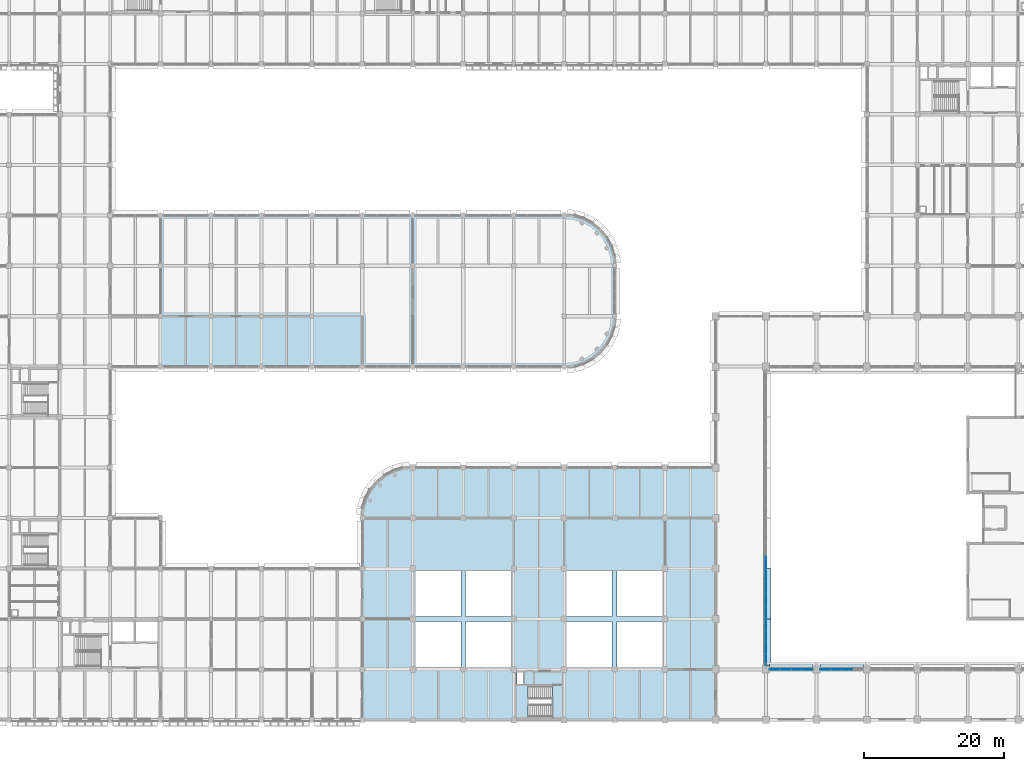
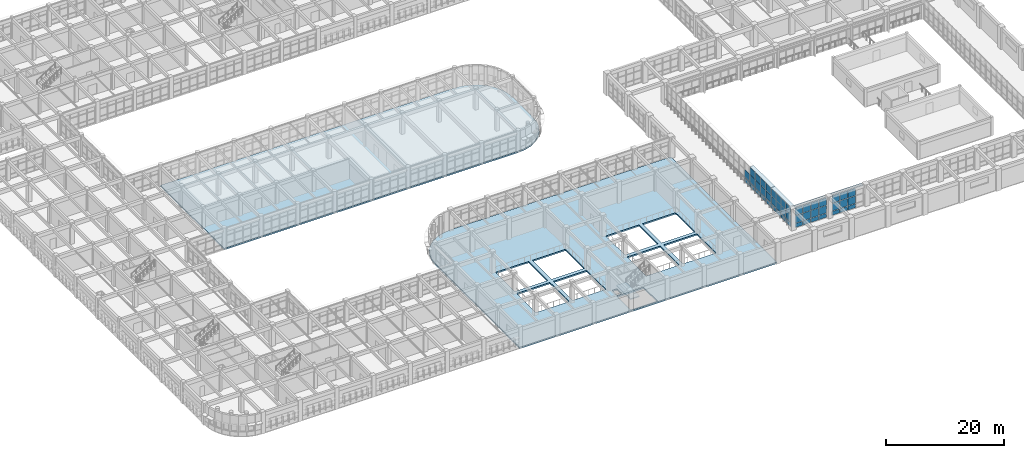
# One storey, part 123 of 171: 51 plates, 3 slabs, 6 elements without a shape of their own.
"""IFC4 building model written with IfcOpenShell, lengths in metres."""

from ifc_helpers import new_model, si_unit, direction, frame, origin, origin_2d, place, context, subcontext, project, spatial, polyline, rectangle, outline, extrude, material, layer, layer_set, type_object, element, aggregate, save


model = new_model("IFC4")

# Units and contexts
model_context = context("Model", 3, precision=1e-05, world=origin(), true_north=direction((0.0, 1.0)))
body_context = subcontext(model_context, "Body", "Model", "MODEL_VIEW")
ifc_project = project(units=[si_unit("LENGTHUNIT", "METRE"), si_unit("AREAUNIT", "SQUARE_METRE"), si_unit("VOLUMEUNIT", "CUBIC_METRE"), si_unit("PLANEANGLEUNIT", "RADIAN"), si_unit("MASSUNIT", "GRAM", prefix="KILO")], contexts=[model_context])

# Site, building, storey
site_placement = place(None, origin())
site = spatial("IfcSite", under=ifc_project, at=site_placement, CompositionType="ELEMENT")
building_placement = place(site_placement, origin())
building = spatial("IfcBuilding", under=site, at=building_placement, Name="Thalmaran Polytechnic", CompositionType="ELEMENT")
storey_placement = place(building_placement, frame((0.0, 0.0, 5.39990234375)))
storey = spatial("IfcBuildingStorey", under=building, at=storey_placement, Name="L01", CompositionType="ELEMENT", Elevation=5.39990234375)

# Plates
ifc_material_1 = material(Name="Anodised aluminium sun-hood eyebrow", Category="aluminium")
ifc_layer_1 = layer(ifc_material_1, 0.0849609375, Name="Anodised aluminium sun-hood eyebrow")
ifc_layer_set_1 = layer_set([ifc_layer_1], Name="Anodised aluminium sun-hood eyebrow")
plate_type_1 = type_object("IfcPlateType", Name="PT-EB01", PredefinedType="SHEET", material=ifc_layer_set_1)
plate_1_placement = place(storey_placement, frame((115.56005859375, 18.0, 4.107666015625), z_axis=(0.0, 0.0, 1.0), x_axis=(0.0, -1.0, 0.0)))
element("IfcPlate", 1, at=plate_1_placement, inside=storey, type_object=plate_type_1, Name="Streamline Sun-Hood Eyebrow L01-CW109", PredefinedType="SHEET", context=body_context, shape_type="SweptSolid", body=[
    extrude(rectangle(XDim=7.159912109375, YDim=0.760009765625, at=origin_2d()), origin(), (0.0, 0.0, 1.0), 0.0849609375),
])
plate_2_placement = place(storey_placement, frame((115.56005859375, 11.0625, 4.107666015625), z_axis=(0.0, 0.0, 1.0), x_axis=(0.0, -1.0, 0.0)))
element("IfcPlate", 2, at=plate_2_placement, inside=storey, type_object=plate_type_1, Name="Streamline Sun-Hood Eyebrow L01-CW110", PredefinedType="SHEET", context=body_context, shape_type="SweptSolid", body=[
    extrude(rectangle(XDim=6.635009765625, YDim=0.760009765625, at=origin_2d()), origin(), (0.0, 0.0, 1.0), 0.0849609375),
])
for number, where, z_axis, x_axis, name in (
    (3, (118.800048828125, 7.56005859375, 4.107666015625), (0.0, 0.0, 1.0), (1.0, 0.0, 0.0), "Streamline Sun-Hood Eyebrow L01-CW111"),
    (4, (126.0, 7.56005859375, 4.107666015625), (0.0, 0.0, 1.0), (1.0, 0.0, 0.0), "Streamline Sun-Hood Eyebrow L01-CW112"),
):
    element("IfcPlate", number, at=place(storey_placement, frame(where, z_axis=z_axis, x_axis=x_axis)), inside=storey, type_object=plate_type_1, Name=name, PredefinedType="SHEET", context=body_context, shape_type="SweptSolid", body=[
        extrude(rectangle(XDim=6.2099609375, YDim=0.760009765625, at=origin_2d()), origin(), (0.0, 0.0, 1.0), 0.0849609375),
    ])

# Curtain wall, plates
ifc_material_2 = material(Name="Aluminium 6063-T6", Category="aluminium")
curtain_wall_type = type_object("IfcCurtainWallType", Name="CW-UC02", PredefinedType="USERDEFINED", material=ifc_material_2)
curtain_wall_1_placement = place(storey_placement, origin())
curtain_wall_1 = element("IfcCurtainWall", 5, at=curtain_wall_1_placement, inside=storey, type_object=curtain_wall_type, Name="Curtain Wall CW-L01-110", ObjectType="UNITISED CURTAIN WALL", PredefinedType="USERDEFINED")
ifc_material_3 = material(Name="Solar-control double low-E glass", Category="glass")
ifc_layer_2 = layer(ifc_material_3, 0.035888671875, Name="Solar-control double low-E glass")
ifc_layer_set_2 = layer_set([ifc_layer_2], Name="Solar-control double low-E glass")
plate_type_2 = type_object("IfcPlateType", Name="PT-GL01", PredefinedType="CURTAIN_PANEL", material=ifc_layer_set_2)
plate_3_placement = place(storey_placement, frame((115.199951171875, 13.565673828125, 1.000244140625), z_axis=(0.0, 0.0, 1.0), x_axis=(0.0, -1.0, 0.0)))
plate_3 = element("IfcPlate", 6, at=plate_3_placement, type_object=plate_type_2, Name="CW-L01-110 Vision Panel 1-2", PredefinedType="CURTAIN_PANEL", context=body_context, shape_type="SweptSolid", body=[
    extrude(rectangle(XDim=1.56884765625, YDim=0.035888671875, at=origin_2d()), origin(), (0.0, 0.0, 1.0), 1.544921875),
])
plate_4_placement = place(storey_placement, frame((115.199951171875, 13.565673828125, 2.625), z_axis=(0.0, 0.0, 1.0), x_axis=(0.0, -1.0, 0.0)))
plate_4 = element("IfcPlate", 7, at=plate_4_placement, type_object=plate_type_2, Name="CW-L01-110 Vision Panel 1-3", PredefinedType="CURTAIN_PANEL", context=body_context, shape_type="SweptSolid", body=[
    extrude(rectangle(XDim=1.56884765625, YDim=0.035888671875, at=origin_2d()), origin(), (0.0, 0.0, 1.0), 1.485107421875),
])
plate_5_placement = place(storey_placement, frame((115.199951171875, 11.89697265625, 1.000244140625), z_axis=(0.0, 0.0, 1.0), x_axis=(0.0, -1.0, 0.0)))
plate_5 = element("IfcPlate", 8, at=plate_5_placement, type_object=plate_type_2, Name="CW-L01-110 Vision Panel 2-2", PredefinedType="CURTAIN_PANEL", context=body_context, shape_type="SweptSolid", body=[
    extrude(rectangle(XDim=1.56884765625, YDim=0.035888671875, at=origin_2d()), origin(), (0.0, 0.0, 1.0), 1.544921875),
])
plate_6_placement = place(storey_placement, frame((115.199951171875, 11.89697265625, 2.625), z_axis=(0.0, 0.0, 1.0), x_axis=(0.0, -1.0, 0.0)))
plate_6 = element("IfcPlate", 9, at=plate_6_placement, type_object=plate_type_2, Name="CW-L01-110 Vision Panel 2-3", PredefinedType="CURTAIN_PANEL", context=body_context, shape_type="SweptSolid", body=[
    extrude(rectangle(XDim=1.56884765625, YDim=0.035888671875, at=origin_2d()), origin(), (0.0, 0.0, 1.0), 1.485107421875),
])
plate_7_placement = place(storey_placement, frame((115.199951171875, 10.22802734375, 1.000244140625), z_axis=(0.0, 0.0, 1.0), x_axis=(0.0, -1.0, 0.0)))
plate_7 = element("IfcPlate", 10, at=plate_7_placement, type_object=plate_type_2, Name="CW-L01-110 Vision Panel 3-2", PredefinedType="CURTAIN_PANEL", context=body_context, shape_type="SweptSolid", body=[
    extrude(rectangle(XDim=1.56884765625, YDim=0.035888671875, at=origin_2d()), origin(), (0.0, 0.0, 1.0), 1.544921875),
])
plate_8_placement = place(storey_placement, frame((115.199951171875, 10.22802734375, 2.625), z_axis=(0.0, 0.0, 1.0), x_axis=(0.0, -1.0, 0.0)))
plate_8 = element("IfcPlate", 11, at=plate_8_placement, type_object=plate_type_2, Name="CW-L01-110 Vision Panel 3-3", PredefinedType="CURTAIN_PANEL", context=body_context, shape_type="SweptSolid", body=[
    extrude(rectangle(XDim=1.56884765625, YDim=0.035888671875, at=origin_2d()), origin(), (0.0, 0.0, 1.0), 1.485107421875),
])
plate_9_placement = place(storey_placement, frame((115.199951171875, 8.559326171875, 1.000244140625), z_axis=(0.0, 0.0, 1.0), x_axis=(0.0, -1.0, 0.0)))
plate_9 = element("IfcPlate", 12, at=plate_9_placement, type_object=plate_type_2, Name="CW-L01-110 Vision Panel 4-2", PredefinedType="CURTAIN_PANEL", context=body_context, shape_type="SweptSolid", body=[
    extrude(rectangle(XDim=1.56884765625, YDim=0.035888671875, at=origin_2d()), origin(), (0.0, 0.0, 1.0), 1.544921875),
])
plate_10_placement = place(storey_placement, frame((115.199951171875, 8.559326171875, 2.625), z_axis=(0.0, 0.0, 1.0), x_axis=(0.0, -1.0, 0.0)))
plate_10 = element("IfcPlate", 13, at=plate_10_placement, type_object=plate_type_2, Name="CW-L01-110 Vision Panel 4-3", PredefinedType="CURTAIN_PANEL", context=body_context, shape_type="SweptSolid", body=[
    extrude(rectangle(XDim=1.56884765625, YDim=0.035888671875, at=origin_2d()), origin(), (0.0, 0.0, 1.0), 1.485107421875),
])

curtain_wall_2_placement = place(storey_placement, origin())
curtain_wall_2 = element("IfcCurtainWall", 14, at=curtain_wall_2_placement, inside=storey, type_object=curtain_wall_type, Name="Curtain Wall CW-L01-111", ObjectType="UNITISED CURTAIN WALL", PredefinedType="USERDEFINED")
ifc_layer_3 = layer(ifc_material_3, 0.035888671875, Name="Solar-control double low-E glass")
ifc_layer_set_3 = layer_set([ifc_layer_3], Name="Solar-control double low-E glass")
plate_type_3 = type_object("IfcPlateType", Name="PT-GL02", PredefinedType="CURTAIN_PANEL", material=ifc_layer_set_3)
plate_11_placement = place(storey_placement, frame((116.456298828125, 7.199951171875, 1.000244140625), z_axis=(0.0, 0.0, 1.0), x_axis=(1.0, 0.0, 0.0)))
plate_11 = element("IfcPlate", 15, at=plate_11_placement, type_object=plate_type_3, Name="CW-L01-111 Vision Panel 1-2", PredefinedType="CURTAIN_PANEL", context=body_context, shape_type="SweptSolid", body=[
    extrude(rectangle(XDim=1.46240234375, YDim=0.035888671875, at=origin_2d()), origin(), (0.0, 0.0, 1.0), 1.544921875),
])
plate_12_placement = place(storey_placement, frame((116.456298828125, 7.199951171875, 2.625), z_axis=(0.0, 0.0, 1.0), x_axis=(1.0, 0.0, 0.0)))
plate_12 = element("IfcPlate", 16, at=plate_12_placement, type_object=plate_type_3, Name="CW-L01-111 Vision Panel 1-3", PredefinedType="CURTAIN_PANEL", context=body_context, shape_type="SweptSolid", body=[
    extrude(rectangle(XDim=1.46240234375, YDim=0.035888671875, at=origin_2d()), origin(), (0.0, 0.0, 1.0), 1.485107421875),
])
plate_13_placement = place(storey_placement, frame((118.018798828125, 7.199951171875, 1.000244140625), z_axis=(0.0, 0.0, 1.0), x_axis=(1.0, 0.0, 0.0)))
plate_13 = element("IfcPlate", 17, at=plate_13_placement, type_object=plate_type_3, Name="CW-L01-111 Vision Panel 2-2", PredefinedType="CURTAIN_PANEL", context=body_context, shape_type="SweptSolid", body=[
    extrude(rectangle(XDim=1.46240234375, YDim=0.035888671875, at=origin_2d()), origin(), (0.0, 0.0, 1.0), 1.544921875),
])
plate_14_placement = place(storey_placement, frame((118.018798828125, 7.199951171875, 2.625), z_axis=(0.0, 0.0, 1.0), x_axis=(1.0, 0.0, 0.0)))
plate_14 = element("IfcPlate", 18, at=plate_14_placement, type_object=plate_type_3, Name="CW-L01-111 Vision Panel 2-3", PredefinedType="CURTAIN_PANEL", context=body_context, shape_type="SweptSolid", body=[
    extrude(rectangle(XDim=1.46240234375, YDim=0.035888671875, at=origin_2d()), origin(), (0.0, 0.0, 1.0), 1.485107421875),
])
plate_15_placement = place(storey_placement, frame((119.581298828125, 7.199951171875, 1.000244140625), z_axis=(0.0, 0.0, 1.0), x_axis=(1.0, 0.0, 0.0)))
plate_15 = element("IfcPlate", 19, at=plate_15_placement, type_object=plate_type_3, Name="CW-L01-111 Vision Panel 3-2", PredefinedType="CURTAIN_PANEL", context=body_context, shape_type="SweptSolid", body=[
    extrude(rectangle(XDim=1.46240234375, YDim=0.035888671875, at=origin_2d()), origin(), (0.0, 0.0, 1.0), 1.544921875),
])
plate_16_placement = place(storey_placement, frame((119.581298828125, 7.199951171875, 2.625), z_axis=(0.0, 0.0, 1.0), x_axis=(1.0, 0.0, 0.0)))
plate_16 = element("IfcPlate", 20, at=plate_16_placement, type_object=plate_type_3, Name="CW-L01-111 Vision Panel 3-3", PredefinedType="CURTAIN_PANEL", context=body_context, shape_type="SweptSolid", body=[
    extrude(rectangle(XDim=1.46240234375, YDim=0.035888671875, at=origin_2d()), origin(), (0.0, 0.0, 1.0), 1.485107421875),
])
plate_17_placement = place(storey_placement, frame((121.143798828125, 7.199951171875, 1.000244140625), z_axis=(0.0, 0.0, 1.0), x_axis=(1.0, 0.0, 0.0)))
plate_17 = element("IfcPlate", 21, at=plate_17_placement, type_object=plate_type_3, Name="CW-L01-111 Vision Panel 4-2", PredefinedType="CURTAIN_PANEL", context=body_context, shape_type="SweptSolid", body=[
    extrude(rectangle(XDim=1.46240234375, YDim=0.035888671875, at=origin_2d()), origin(), (0.0, 0.0, 1.0), 1.544921875),
])
plate_18_placement = place(storey_placement, frame((121.143798828125, 7.199951171875, 2.625), z_axis=(0.0, 0.0, 1.0), x_axis=(1.0, 0.0, 0.0)))
plate_18 = element("IfcPlate", 22, at=plate_18_placement, type_object=plate_type_3, Name="CW-L01-111 Vision Panel 4-3", PredefinedType="CURTAIN_PANEL", context=body_context, shape_type="SweptSolid", body=[
    extrude(rectangle(XDim=1.46240234375, YDim=0.035888671875, at=origin_2d()), origin(), (0.0, 0.0, 1.0), 1.485107421875),
])

curtain_wall_3_placement = place(storey_placement, origin())
curtain_wall_3 = element("IfcCurtainWall", 23, at=curtain_wall_3_placement, inside=storey, type_object=curtain_wall_type, Name="Curtain Wall CW-L01-112", ObjectType="UNITISED CURTAIN WALL", PredefinedType="USERDEFINED")
ifc_layer_4 = layer(ifc_material_3, 0.035888671875, Name="Solar-control double low-E glass")
ifc_layer_set_4 = layer_set([ifc_layer_4], Name="Solar-control double low-E glass")
plate_type_4 = type_object("IfcPlateType", Name="PT-GL03", PredefinedType="CURTAIN_PANEL", material=ifc_layer_set_4)
plate_19_placement = place(storey_placement, frame((123.65625, 7.199951171875, 1.000244140625), z_axis=(0.0, 0.0, 1.0), x_axis=(1.0, 0.0, 0.0)))
plate_19 = element("IfcPlate", 24, at=plate_19_placement, type_object=plate_type_4, Name="CW-L01-112 Vision Panel 1-2", PredefinedType="CURTAIN_PANEL", context=body_context, shape_type="SweptSolid", body=[
    extrude(rectangle(XDim=1.46240234375, YDim=0.035888671875, at=origin_2d()), origin(), (0.0, 0.0, 1.0), 1.544921875),
])
plate_20_placement = place(storey_placement, frame((123.65625, 7.199951171875, 2.625), z_axis=(0.0, 0.0, 1.0), x_axis=(1.0, 0.0, 0.0)))
plate_20 = element("IfcPlate", 25, at=plate_20_placement, type_object=plate_type_4, Name="CW-L01-112 Vision Panel 1-3", PredefinedType="CURTAIN_PANEL", context=body_context, shape_type="SweptSolid", body=[
    extrude(rectangle(XDim=1.46240234375, YDim=0.035888671875, at=origin_2d()), origin(), (0.0, 0.0, 1.0), 1.485107421875),
])
plate_21_placement = place(storey_placement, frame((125.21875, 7.199951171875, 1.000244140625), z_axis=(0.0, 0.0, 1.0), x_axis=(1.0, 0.0, 0.0)))
plate_21 = element("IfcPlate", 26, at=plate_21_placement, type_object=plate_type_4, Name="CW-L01-112 Vision Panel 2-2", PredefinedType="CURTAIN_PANEL", context=body_context, shape_type="SweptSolid", body=[
    extrude(rectangle(XDim=1.46240234375, YDim=0.035888671875, at=origin_2d()), origin(), (0.0, 0.0, 1.0), 1.544921875),
])
plate_22_placement = place(storey_placement, frame((125.21875, 7.199951171875, 2.625), z_axis=(0.0, 0.0, 1.0), x_axis=(1.0, 0.0, 0.0)))
plate_22 = element("IfcPlate", 27, at=plate_22_placement, type_object=plate_type_4, Name="CW-L01-112 Vision Panel 2-3", PredefinedType="CURTAIN_PANEL", context=body_context, shape_type="SweptSolid", body=[
    extrude(rectangle(XDim=1.46240234375, YDim=0.035888671875, at=origin_2d()), origin(), (0.0, 0.0, 1.0), 1.485107421875),
])
plate_23_placement = place(storey_placement, frame((126.78125, 7.199951171875, 1.000244140625), z_axis=(0.0, 0.0, 1.0), x_axis=(1.0, 0.0, 0.0)))
plate_23 = element("IfcPlate", 28, at=plate_23_placement, type_object=plate_type_4, Name="CW-L01-112 Vision Panel 3-2", PredefinedType="CURTAIN_PANEL", context=body_context, shape_type="SweptSolid", body=[
    extrude(rectangle(XDim=1.46240234375, YDim=0.035888671875, at=origin_2d()), origin(), (0.0, 0.0, 1.0), 1.544921875),
])
plate_24_placement = place(storey_placement, frame((126.78125, 7.199951171875, 2.625), z_axis=(0.0, 0.0, 1.0), x_axis=(1.0, 0.0, 0.0)))
plate_24 = element("IfcPlate", 29, at=plate_24_placement, type_object=plate_type_4, Name="CW-L01-112 Vision Panel 3-3", PredefinedType="CURTAIN_PANEL", context=body_context, shape_type="SweptSolid", body=[
    extrude(rectangle(XDim=1.46240234375, YDim=0.035888671875, at=origin_2d()), origin(), (0.0, 0.0, 1.0), 1.485107421875),
])

# Curtain wall, plate
curtain_wall_4_placement = place(storey_placement, origin())
curtain_wall_4 = element("IfcCurtainWall", 30, at=curtain_wall_4_placement, inside=storey, type_object=curtain_wall_type, Name="Curtain Wall CW-L01-108", ObjectType="UNITISED CURTAIN WALL", PredefinedType="USERDEFINED")
ifc_layer_5 = layer(ifc_material_3, 0.035888671875, Name="Solar-control double low-E glass")
ifc_layer_set_5 = layer_set([ifc_layer_5], Name="Solar-control double low-E glass")
plate_type_5 = type_object("IfcPlateType", Name="PT-GL04", PredefinedType="CURTAIN_PANEL", material=ifc_layer_set_5)
plate_25_placement = place(storey_placement, frame((115.199951171875, 22.5, 1.000244140625), z_axis=(0.0, 0.0, 1.0), x_axis=(0.0, -1.0, 0.0)))
plate_25 = element("IfcPlate", 31, at=plate_25_placement, type_object=plate_type_5, Name="CW-L01-108 Vision Panel 4-2", PredefinedType="CURTAIN_PANEL", context=body_context, shape_type="SweptSolid", body=[
    extrude(rectangle(XDim=1.699951171875, YDim=0.035888671875, at=origin_2d()), origin(), (0.0, 0.0, 1.0), 1.544921875),
])

# Curtain wall, plates
curtain_wall_5_placement = place(storey_placement, origin())
curtain_wall_5 = element("IfcCurtainWall", 32, at=curtain_wall_5_placement, inside=storey, type_object=curtain_wall_type, Name="Curtain Wall CW-L01-109", ObjectType="UNITISED CURTAIN WALL", PredefinedType="USERDEFINED")
ifc_layer_6 = layer(ifc_material_3, 0.035888671875, Name="Solar-control double low-E glass")
ifc_layer_set_6 = layer_set([ifc_layer_6], Name="Solar-control double low-E glass")
plate_type_6 = type_object("IfcPlateType", Name="PT-GL05", PredefinedType="CURTAIN_PANEL", material=ifc_layer_set_6)
plate_26_placement = place(storey_placement, frame((115.199951171875, 20.699951171875, 1.000244140625), z_axis=(0.0, 0.0, 1.0), x_axis=(0.0, -1.0, 0.0)))
plate_26 = element("IfcPlate", 33, at=plate_26_placement, type_object=plate_type_6, Name="CW-L01-109 Vision Panel 1-2", PredefinedType="CURTAIN_PANEL", context=body_context, shape_type="SweptSolid", body=[
    extrude(rectangle(XDim=1.699951171875, YDim=0.035888671875, at=origin_2d()), origin(), (0.0, 0.0, 1.0), 1.544921875),
])
plate_27_placement = place(storey_placement, frame((115.199951171875, 20.699951171875, 2.625), z_axis=(0.0, 0.0, 1.0), x_axis=(0.0, -1.0, 0.0)))
plate_27 = element("IfcPlate", 34, at=plate_27_placement, type_object=plate_type_6, Name="CW-L01-109 Vision Panel 1-3", PredefinedType="CURTAIN_PANEL", context=body_context, shape_type="SweptSolid", body=[
    extrude(rectangle(XDim=1.699951171875, YDim=0.035888671875, at=origin_2d()), origin(), (0.0, 0.0, 1.0), 1.485107421875),
])
plate_28_placement = place(storey_placement, frame((115.199951171875, 18.89990234375, 1.000244140625), z_axis=(0.0, 0.0, 1.0), x_axis=(0.0, -1.0, 0.0)))
plate_28 = element("IfcPlate", 35, at=plate_28_placement, type_object=plate_type_6, Name="CW-L01-109 Vision Panel 2-2", PredefinedType="CURTAIN_PANEL", context=body_context, shape_type="SweptSolid", body=[
    extrude(rectangle(XDim=1.699951171875, YDim=0.035888671875, at=origin_2d()), origin(), (0.0, 0.0, 1.0), 1.544921875),
])
plate_29_placement = place(storey_placement, frame((115.199951171875, 18.89990234375, 2.625), z_axis=(0.0, 0.0, 1.0), x_axis=(0.0, -1.0, 0.0)))
plate_29 = element("IfcPlate", 36, at=plate_29_placement, type_object=plate_type_6, Name="CW-L01-109 Vision Panel 2-3", PredefinedType="CURTAIN_PANEL", context=body_context, shape_type="SweptSolid", body=[
    extrude(rectangle(XDim=1.699951171875, YDim=0.035888671875, at=origin_2d()), origin(), (0.0, 0.0, 1.0), 1.485107421875),
])
plate_30_placement = place(storey_placement, frame((115.199951171875, 17.10009765625, 1.000244140625), z_axis=(0.0, 0.0, 1.0), x_axis=(0.0, -1.0, 0.0)))
plate_30 = element("IfcPlate", 37, at=plate_30_placement, type_object=plate_type_6, Name="CW-L01-109 Vision Panel 3-2", PredefinedType="CURTAIN_PANEL", context=body_context, shape_type="SweptSolid", body=[
    extrude(rectangle(XDim=1.699951171875, YDim=0.035888671875, at=origin_2d()), origin(), (0.0, 0.0, 1.0), 1.544921875),
])
plate_31_placement = place(storey_placement, frame((115.199951171875, 17.10009765625, 2.625), z_axis=(0.0, 0.0, 1.0), x_axis=(0.0, -1.0, 0.0)))
plate_31 = element("IfcPlate", 38, at=plate_31_placement, type_object=plate_type_6, Name="CW-L01-109 Vision Panel 3-3", PredefinedType="CURTAIN_PANEL", context=body_context, shape_type="SweptSolid", body=[
    extrude(rectangle(XDim=1.699951171875, YDim=0.035888671875, at=origin_2d()), origin(), (0.0, 0.0, 1.0), 1.485107421875),
])
plate_32_placement = place(storey_placement, frame((115.199951171875, 15.300048828125, 1.000244140625), z_axis=(0.0, 0.0, 1.0), x_axis=(0.0, -1.0, 0.0)))
plate_32 = element("IfcPlate", 39, at=plate_32_placement, type_object=plate_type_6, Name="CW-L01-109 Vision Panel 4-2", PredefinedType="CURTAIN_PANEL", context=body_context, shape_type="SweptSolid", body=[
    extrude(rectangle(XDim=1.699951171875, YDim=0.035888671875, at=origin_2d()), origin(), (0.0, 0.0, 1.0), 1.544921875),
])
plate_33_placement = place(storey_placement, frame((115.199951171875, 15.300048828125, 2.625), z_axis=(0.0, 0.0, 1.0), x_axis=(0.0, -1.0, 0.0)))
plate_33 = element("IfcPlate", 40, at=plate_33_placement, type_object=plate_type_6, Name="CW-L01-109 Vision Panel 4-3", PredefinedType="CURTAIN_PANEL", context=body_context, shape_type="SweptSolid", body=[
    extrude(rectangle(XDim=1.699951171875, YDim=0.035888671875, at=origin_2d()), origin(), (0.0, 0.0, 1.0), 1.485107421875),
])

# Plate
ifc_material_4 = material(Name="Insulated anodised aluminium spandrel", Category="aluminium")
ifc_layer_7 = layer(ifc_material_4, 0.06005859375, Name="Insulated anodised aluminium spandrel")
ifc_layer_set_7 = layer_set([ifc_layer_7], Name="Insulated anodised aluminium spandrel")
plate_type_7 = type_object("IfcPlateType", Name="PT-SP01", PredefinedType="CURTAIN_PANEL", material=ifc_layer_set_7)
plate_34_placement = place(storey_placement, frame((115.199951171875, 22.5, 0.10009765625), z_axis=(0.0, 0.0, 1.0), x_axis=(0.0, -1.0, 0.0)))
plate_34 = element("IfcPlate", 41, at=plate_34_placement, type_object=plate_type_7, Name="CW-L01-108 Spandrel Panel 4-1", PredefinedType="CURTAIN_PANEL", context=body_context, shape_type="SweptSolid", body=[
    extrude(rectangle(XDim=1.699951171875, YDim=0.06005859375, at=origin_2d()), origin(), (0.0, 0.0, 1.0), 0.820068359375),
])

aggregate(curtain_wall_4, [plate_34, plate_25])

plate_35_placement = place(storey_placement, frame((116.456298828125, 7.199951171875, 0.10009765625), z_axis=(0.0, 0.0, 1.0), x_axis=(1.0, 0.0, 0.0)))
plate_35 = element("IfcPlate", 42, at=plate_35_placement, type_object=plate_type_7, Name="CW-L01-111 Spandrel Panel 1-1", PredefinedType="CURTAIN_PANEL", context=body_context, shape_type="SweptSolid", body=[
    extrude(rectangle(XDim=1.46240234375, YDim=0.06005859375, at=origin_2d()), origin(), (0.0, 0.0, 1.0), 0.820068359375),
])

plate_36_placement = place(storey_placement, frame((118.018798828125, 7.199951171875, 0.10009765625), z_axis=(0.0, 0.0, 1.0), x_axis=(1.0, 0.0, 0.0)))
plate_36 = element("IfcPlate", 43, at=plate_36_placement, type_object=plate_type_7, Name="CW-L01-111 Spandrel Panel 2-1", PredefinedType="CURTAIN_PANEL", context=body_context, shape_type="SweptSolid", body=[
    extrude(rectangle(XDim=1.46240234375, YDim=0.06005859375, at=origin_2d()), origin(), (0.0, 0.0, 1.0), 0.820068359375),
])

plate_37_placement = place(storey_placement, frame((119.581298828125, 7.199951171875, 0.10009765625), z_axis=(0.0, 0.0, 1.0), x_axis=(1.0, 0.0, 0.0)))
plate_37 = element("IfcPlate", 44, at=plate_37_placement, type_object=plate_type_7, Name="CW-L01-111 Spandrel Panel 3-1", PredefinedType="CURTAIN_PANEL", context=body_context, shape_type="SweptSolid", body=[
    extrude(rectangle(XDim=1.46240234375, YDim=0.06005859375, at=origin_2d()), origin(), (0.0, 0.0, 1.0), 0.820068359375),
])

plate_38_placement = place(storey_placement, frame((121.143798828125, 7.199951171875, 0.10009765625), z_axis=(0.0, 0.0, 1.0), x_axis=(1.0, 0.0, 0.0)))
plate_38 = element("IfcPlate", 45, at=plate_38_placement, type_object=plate_type_7, Name="CW-L01-111 Spandrel Panel 4-1", PredefinedType="CURTAIN_PANEL", context=body_context, shape_type="SweptSolid", body=[
    extrude(rectangle(XDim=1.46240234375, YDim=0.06005859375, at=origin_2d()), origin(), (0.0, 0.0, 1.0), 0.820068359375),
])

aggregate(curtain_wall_2, [plate_35, plate_11, plate_12, plate_36, plate_13, plate_14, plate_37, plate_15, plate_16, plate_38, plate_17, plate_18])

ifc_layer_8 = layer(ifc_material_4, 0.06005859375, Name="Insulated anodised aluminium spandrel")
ifc_layer_set_8 = layer_set([ifc_layer_8], Name="Insulated anodised aluminium spandrel")
plate_type_8 = type_object("IfcPlateType", Name="PT-SP02", PredefinedType="CURTAIN_PANEL", material=ifc_layer_set_8)
plate_39_placement = place(storey_placement, frame((115.199951171875, 20.699951171875, 0.10009765625), z_axis=(0.0, 0.0, 1.0), x_axis=(0.0, -1.0, 0.0)))
plate_39 = element("IfcPlate", 46, at=plate_39_placement, type_object=plate_type_8, Name="CW-L01-109 Spandrel Panel 1-1", PredefinedType="CURTAIN_PANEL", context=body_context, shape_type="SweptSolid", body=[
    extrude(rectangle(XDim=1.699951171875, YDim=0.06005859375, at=origin_2d()), origin(), (0.0, 0.0, 1.0), 0.820068359375),
])

plate_40_placement = place(storey_placement, frame((115.199951171875, 18.89990234375, 0.10009765625), z_axis=(0.0, 0.0, 1.0), x_axis=(0.0, -1.0, 0.0)))
plate_40 = element("IfcPlate", 47, at=plate_40_placement, type_object=plate_type_8, Name="CW-L01-109 Spandrel Panel 2-1", PredefinedType="CURTAIN_PANEL", context=body_context, shape_type="SweptSolid", body=[
    extrude(rectangle(XDim=1.699951171875, YDim=0.06005859375, at=origin_2d()), origin(), (0.0, 0.0, 1.0), 0.820068359375),
])

plate_41_placement = place(storey_placement, frame((115.199951171875, 17.10009765625, 0.10009765625), z_axis=(0.0, 0.0, 1.0), x_axis=(0.0, -1.0, 0.0)))
plate_41 = element("IfcPlate", 48, at=plate_41_placement, type_object=plate_type_8, Name="CW-L01-109 Spandrel Panel 3-1", PredefinedType="CURTAIN_PANEL", context=body_context, shape_type="SweptSolid", body=[
    extrude(rectangle(XDim=1.699951171875, YDim=0.06005859375, at=origin_2d()), origin(), (0.0, 0.0, 1.0), 0.820068359375),
])

plate_42_placement = place(storey_placement, frame((115.199951171875, 15.300048828125, 0.10009765625), z_axis=(0.0, 0.0, 1.0), x_axis=(0.0, -1.0, 0.0)))
plate_42 = element("IfcPlate", 49, at=plate_42_placement, type_object=plate_type_8, Name="CW-L01-109 Spandrel Panel 4-1", PredefinedType="CURTAIN_PANEL", context=body_context, shape_type="SweptSolid", body=[
    extrude(rectangle(XDim=1.699951171875, YDim=0.06005859375, at=origin_2d()), origin(), (0.0, 0.0, 1.0), 0.820068359375),
])

aggregate(curtain_wall_5, [plate_39, plate_26, plate_27, plate_40, plate_28, plate_29, plate_41, plate_30, plate_31, plate_42, plate_32, plate_33])

plate_43_placement = place(storey_placement, frame((123.65625, 7.199951171875, 0.10009765625), z_axis=(0.0, 0.0, 1.0), x_axis=(1.0, 0.0, 0.0)))
plate_43 = element("IfcPlate", 50, at=plate_43_placement, type_object=plate_type_8, Name="CW-L01-112 Spandrel Panel 1-1", PredefinedType="CURTAIN_PANEL", context=body_context, shape_type="SweptSolid", body=[
    extrude(rectangle(XDim=1.46240234375, YDim=0.06005859375, at=origin_2d()), origin(), (0.0, 0.0, 1.0), 0.820068359375),
])

plate_44_placement = place(storey_placement, frame((125.21875, 7.199951171875, 0.10009765625), z_axis=(0.0, 0.0, 1.0), x_axis=(1.0, 0.0, 0.0)))
plate_44 = element("IfcPlate", 51, at=plate_44_placement, type_object=plate_type_8, Name="CW-L01-112 Spandrel Panel 2-1", PredefinedType="CURTAIN_PANEL", context=body_context, shape_type="SweptSolid", body=[
    extrude(rectangle(XDim=1.46240234375, YDim=0.06005859375, at=origin_2d()), origin(), (0.0, 0.0, 1.0), 0.820068359375),
])

plate_45_placement = place(storey_placement, frame((126.78125, 7.199951171875, 0.10009765625), z_axis=(0.0, 0.0, 1.0), x_axis=(1.0, 0.0, 0.0)))
plate_45 = element("IfcPlate", 52, at=plate_45_placement, type_object=plate_type_8, Name="CW-L01-112 Spandrel Panel 3-1", PredefinedType="CURTAIN_PANEL", context=body_context, shape_type="SweptSolid", body=[
    extrude(rectangle(XDim=1.46240234375, YDim=0.06005859375, at=origin_2d()), origin(), (0.0, 0.0, 1.0), 0.820068359375),
])

aggregate(curtain_wall_3, [plate_43, plate_19, plate_20, plate_44, plate_21, plate_22, plate_45, plate_23, plate_24])

ifc_layer_9 = layer(ifc_material_4, 0.06005859375, Name="Insulated anodised aluminium spandrel")
ifc_layer_set_9 = layer_set([ifc_layer_9], Name="Insulated anodised aluminium spandrel")
plate_type_9 = type_object("IfcPlateType", Name="PT-SP03", PredefinedType="CURTAIN_PANEL", material=ifc_layer_set_9)
plate_46_placement = place(storey_placement, frame((115.199951171875, 13.565673828125, 0.10009765625), z_axis=(0.0, 0.0, 1.0), x_axis=(0.0, -1.0, 0.0)))
plate_46 = element("IfcPlate", 53, at=plate_46_placement, type_object=plate_type_9, Name="CW-L01-110 Spandrel Panel 1-1", PredefinedType="CURTAIN_PANEL", context=body_context, shape_type="SweptSolid", body=[
    extrude(rectangle(XDim=1.56884765625, YDim=0.06005859375, at=origin_2d()), origin(), (0.0, 0.0, 1.0), 0.820068359375),
])

plate_47_placement = place(storey_placement, frame((115.199951171875, 11.89697265625, 0.10009765625), z_axis=(0.0, 0.0, 1.0), x_axis=(0.0, -1.0, 0.0)))
plate_47 = element("IfcPlate", 54, at=plate_47_placement, type_object=plate_type_9, Name="CW-L01-110 Spandrel Panel 2-1", PredefinedType="CURTAIN_PANEL", context=body_context, shape_type="SweptSolid", body=[
    extrude(rectangle(XDim=1.56884765625, YDim=0.06005859375, at=origin_2d()), origin(), (0.0, 0.0, 1.0), 0.820068359375),
])

plate_48_placement = place(storey_placement, frame((115.199951171875, 10.22802734375, 0.10009765625), z_axis=(0.0, 0.0, 1.0), x_axis=(0.0, -1.0, 0.0)))
plate_48 = element("IfcPlate", 55, at=plate_48_placement, type_object=plate_type_9, Name="CW-L01-110 Spandrel Panel 3-1", PredefinedType="CURTAIN_PANEL", context=body_context, shape_type="SweptSolid", body=[
    extrude(rectangle(XDim=1.56884765625, YDim=0.06005859375, at=origin_2d()), origin(), (0.0, 0.0, 1.0), 0.820068359375),
])

plate_49_placement = place(storey_placement, frame((115.199951171875, 8.559326171875, 0.10009765625), z_axis=(0.0, 0.0, 1.0), x_axis=(0.0, -1.0, 0.0)))
plate_49 = element("IfcPlate", 56, at=plate_49_placement, type_object=plate_type_9, Name="CW-L01-110 Spandrel Panel 4-1", PredefinedType="CURTAIN_PANEL", context=body_context, shape_type="SweptSolid", body=[
    extrude(rectangle(XDim=1.56884765625, YDim=0.06005859375, at=origin_2d()), origin(), (0.0, 0.0, 1.0), 0.820068359375),
])

aggregate(curtain_wall_1, [plate_46, plate_3, plate_4, plate_47, plate_5, plate_6, plate_48, plate_7, plate_8, plate_49, plate_9, plate_10])

# Slabs
ifc_material_5 = material(Name="Concrete C40/50", Category="concrete")
ifc_layer_10 = layer(ifc_material_5, 0.31005859375, Name="Concrete C40/50")
ifc_layer_set_10 = layer_set([ifc_layer_10], Name="Concrete C40/50")
slab_type_1 = type_object("IfcSlabType", Name="SL-FL03", PredefinedType="FLOOR", material=ifc_layer_set_10)
slab_1_placement = place(storey_placement, frame((0.0, 0.0, -0.309814453125)))
element("IfcSlab", 57, at=slab_1_placement, inside=storey, type_object=slab_type_1, Name="V3 L01 Structural Slab", PredefinedType="FLOOR", context=body_context, shape_type="SweptSolid", body=[
    extrude(outline(polyline([(57.60009765625, 7.199951171875), (57.60009765625, 14.39990234375), (57.60009765625, 21.60009765625), (57.60009765625, 28.800048828125), (57.73828125, 30.20458984375), (58.14794921875, 31.555419921875), (58.8134765625, 32.800048828125), (59.708740234375, 33.89111328125), (60.7998046875, 34.78662109375), (62.044677734375, 35.451904296875), (63.395263671875, 35.861572265625), (64.800048828125, 36.0), (72.0, 36.0), (79.199951171875, 36.0), (86.39990234375, 36.0), (93.60009765625, 36.0), (100.800048828125, 36.0), (108.0, 36.0), (108.0, 28.800048828125), (108.0, 21.60009765625), (108.0, 14.39990234375), (108.0, 7.199951171875), (108.0, 0.0), (100.800048828125, 0.0), (93.60009765625, 0.0), (86.39990234375, 0.0), (79.199951171875, 0.0), (72.0, 0.0), (64.800048828125, 0.0), (57.60009765625, 0.0), (57.60009765625, 7.199951171875)]), holes=[polyline([(100.449951171875, 7.550048828125), (100.449951171875, 14.050048828125), (93.949951171875, 14.050048828125), (93.949951171875, 7.550048828125), (100.449951171875, 7.550048828125)]), polyline([(100.449951171875, 14.75), (100.449951171875, 21.25), (93.949951171875, 21.25), (93.949951171875, 14.75), (100.449951171875, 14.75)]), polyline([(93.25, 7.550048828125), (93.25, 14.050048828125), (86.75, 14.050048828125), (86.75, 7.550048828125), (93.25, 7.550048828125)]), polyline([(93.25, 14.75), (93.25, 21.25), (86.75, 21.25), (86.75, 14.75), (93.25, 14.75)]), polyline([(79.449951171875, 4.840087890625), (79.449951171875, 0.25), (84.719970703125, 0.25), (84.719970703125, 4.840087890625), (79.449951171875, 4.840087890625)]), polyline([(80.56005859375, 6.760009765625), (79.639892578125, 6.760009765625), (79.639892578125, 5.139892578125), (80.56005859375, 5.139892578125), (80.56005859375, 6.760009765625)]), polyline([(78.85009765625, 7.550048828125), (78.85009765625, 14.050048828125), (72.35009765625, 14.050048828125), (72.35009765625, 7.550048828125), (78.85009765625, 7.550048828125)]), polyline([(78.85009765625, 14.75), (78.85009765625, 21.25), (72.35009765625, 21.25), (72.35009765625, 14.75), (78.85009765625, 14.75)]), polyline([(71.64990234375, 7.550048828125), (71.64990234375, 14.050048828125), (65.14990234375, 14.050048828125), (65.14990234375, 7.550048828125), (71.64990234375, 7.550048828125)]), polyline([(71.64990234375, 14.75), (71.64990234375, 21.25), (65.14990234375, 21.25), (65.14990234375, 14.75), (71.64990234375, 14.75)])]), origin(), (0.0, 0.0, 1.0), 0.309814453125),
])
slab_2_placement = place(storey_placement, frame((0.0, 0.0, -0.309814453125)))
element("IfcSlab", 58, at=slab_2_placement, inside=storey, type_object=slab_type_1, Name="V6 L01 Structural Slab", PredefinedType="FLOOR", context=body_context, shape_type="SweptSolid", body=[
    extrude(outline(polyline([(28.800048828125, 72.0), (36.0, 72.0), (43.199951171875, 72.0), (50.39990234375, 72.0), (57.60009765625, 72.0), (64.800048828125, 72.0), (72.0, 72.0), (79.199951171875, 72.0), (86.39990234375, 72.0), (87.8046875, 71.861572265625), (89.1552734375, 71.451904296875), (90.400146484375, 70.78662109375), (91.4912109375, 69.89111328125), (92.386474609375, 68.800048828125), (93.052001953125, 67.555419921875), (93.461669921875, 66.20458984375), (93.60009765625, 64.800048828125), (93.60009765625, 57.60009765625), (93.461669921875, 56.1953125), (93.052001953125, 54.8447265625), (92.386474609375, 53.599853515625), (91.4912109375, 52.5087890625), (90.400146484375, 51.613525390625), (89.1552734375, 50.947998046875), (87.8046875, 50.538330078125), (86.39990234375, 50.39990234375), (79.199951171875, 50.39990234375), (72.0, 50.39990234375), (64.800048828125, 50.39990234375), (57.60009765625, 50.39990234375), (50.39990234375, 50.39990234375), (43.199951171875, 50.39990234375), (36.0, 50.39990234375), (28.800048828125, 50.39990234375), (28.800048828125, 57.60009765625), (28.800048828125, 64.800048828125), (28.800048828125, 72.0)])), origin(), (0.0, 0.0, 1.0), 0.309814453125),
])

# Stair, slab
stair_type = type_object("IfcStairType", Name="ST-HT45", PredefinedType="HALF_TURN_STAIR", material=ifc_material_5)
stair_placement = place(storey_placement, origin())
stair = element("IfcStair", 59, at=stair_placement, inside=storey, type_object=stair_type, Name="Exit Stair ST7 L01", PredefinedType="HALF_TURN_STAIR")
ifc_layer_11 = layer(ifc_material_5, 0.2099609375, Name="Concrete C40/50")
ifc_layer_set_11 = layer_set([ifc_layer_11], Name="Concrete C40/50")
slab_type_2 = type_object("IfcSlabType", Name="SL-LD01", PredefinedType="LANDING", material=ifc_layer_set_11)
slab_3_placement = place(storey_placement, frame((0.0, 0.0, 2.0400390625)))
slab_3 = element("IfcSlab", 60, at=slab_3_placement, type_object=slab_type_2, Name="ST7 L01 Half Landing", PredefinedType="LANDING", context=body_context, shape_type="SweptSolid", body=[
    extrude(outline(polyline([(79.43994140625, 0.239990234375), (81.260009765625, 0.239990234375), (81.260009765625, 4.93994140625), (79.43994140625, 4.93994140625), (79.43994140625, 0.239990234375)])), origin(), (0.0, 0.0, 1.0), 0.2099609375),
])
aggregate(stair, [slab_3])

save(model, "model.ifc")
